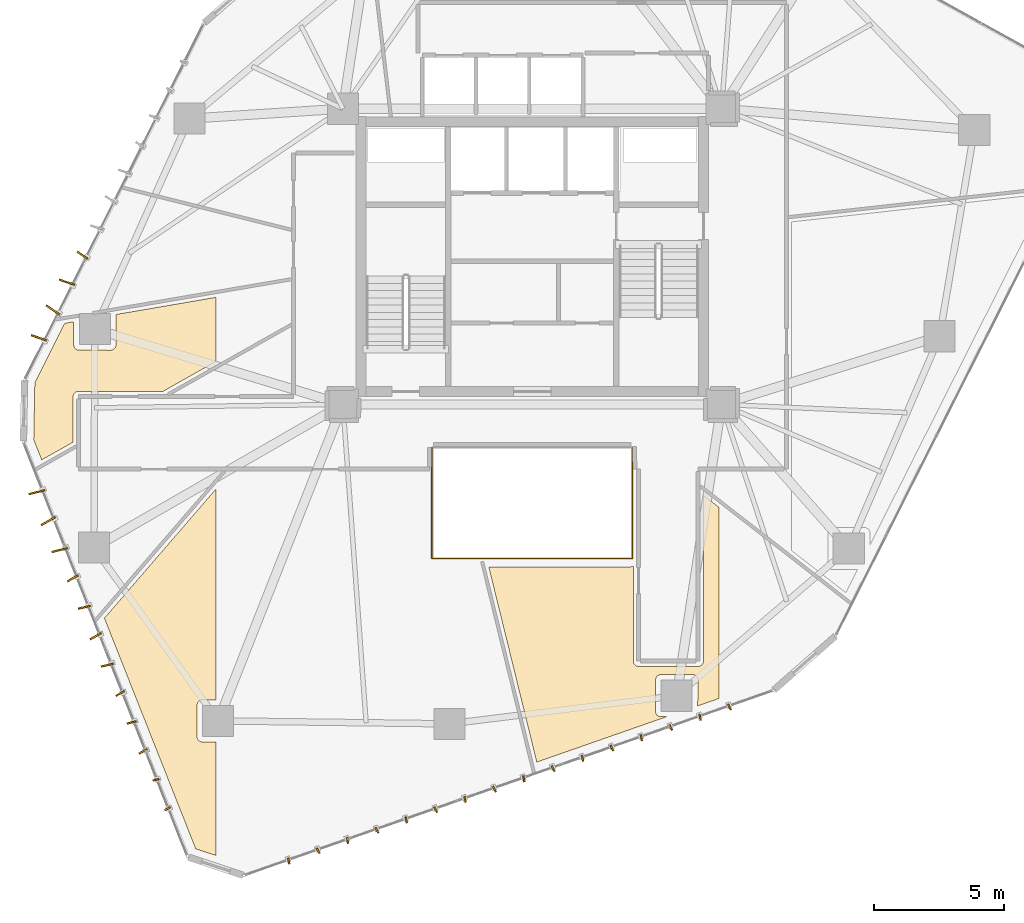
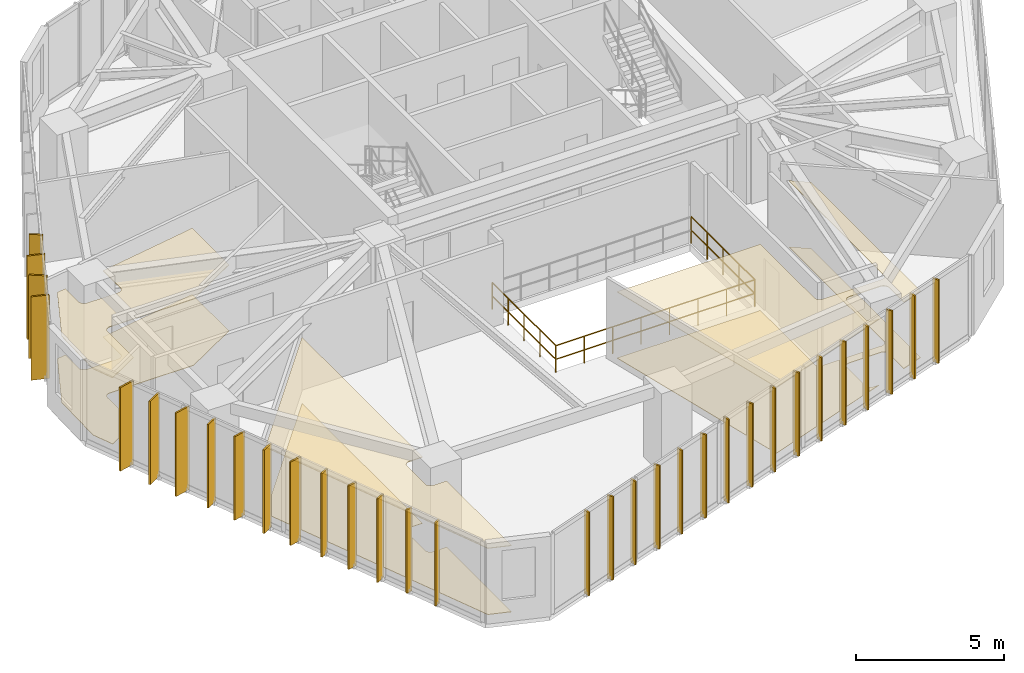
# One storey, part 19 of 21: 32 shading devices, 6 coverings, 3 railings.
"""IFC4 building model written with IfcOpenShell, lengths in metres."""

from ifc_helpers import new_model, si_unit, direction, frame, origin, origin_2d, place, context, subcontext, project, spatial, polyline, rectangle, circle, outline, extrude, source, transform, mapped, material, layer, layer_set, type_object, type_shapes, element, save


model = new_model("IFC4")

# Units and contexts
model_context = context("Model", 3, precision=1e-05, world=origin(), true_north=direction((0.0, 1.0)))
body_context = subcontext(model_context, "Body", "Model", "MODEL_VIEW")
ifc_project = project(units=[si_unit("LENGTHUNIT", "METRE"), si_unit("AREAUNIT", "SQUARE_METRE"), si_unit("VOLUMEUNIT", "CUBIC_METRE"), si_unit("PLANEANGLEUNIT", "RADIAN"), si_unit("MASSUNIT", "GRAM", prefix="KILO")], contexts=[model_context])

# Site, building, storey
site_placement = place(None, origin())
site = spatial("IfcSite", under=ifc_project, at=site_placement, CompositionType="ELEMENT")
building_placement = place(site_placement, origin())
building = spatial("IfcBuilding", under=site, at=building_placement, Name="Talar Marvaseh", CompositionType="ELEMENT")
storey_placement = place(building_placement, frame((0.0, 0.0, 147.0)))
storey = spatial("IfcBuildingStorey", under=building, at=storey_placement, Name="L38", CompositionType="ELEMENT", Elevation=147.0)

# Railings
ifc_material_1 = material(Name="Tempered Clear Glass", Category="glass")
railing_type = type_object("IfcRailingType", Name="Interior Atrium Edge Balustrade 1120", PredefinedType="BALUSTRADE", material=ifc_material_1)
railing_1_placement = place(storey_placement, frame((22.1298828125, 19.561279296875, 0.0)))
element("IfcRailing", 1, at=railing_1_placement, inside=storey, type_object=railing_type, Name="L38 Internal Daylight Atrium Balustrade 1", PredefinedType="BALUSTRADE", context=body_context, shape_type="SweptSolid", body=[
    extrude(circle(Radius=0.02392578125, at=origin_2d()), frame((0.0, 0.0, 1.09619140625), z_axis=(1.0, 0.0, 0.0), x_axis=(0.0, 1.0, 0.0)), (0.0, 0.0, 1.0), 7.740234375),
    extrude(circle(Radius=0.02392578125, at=origin_2d()), frame((0.0, 0.0, 0.5361328125), z_axis=(1.0, 0.0, 0.0), x_axis=(0.0, 1.0, 0.0)), (0.0, 0.0, 1.0), 7.740234375),
    extrude(circle(Radius=0.02099609375, at=origin_2d()), origin(), (0.0, 0.0, 1.0), 1.072021484375),
    extrude(circle(Radius=0.02099609375, at=origin_2d()), frame((1.105712890625, 0.0, 0.0)), (0.0, 0.0, 1.0), 1.072021484375),
    extrude(circle(Radius=0.02099609375, at=origin_2d()), frame((2.21142578125, 0.0, 0.0)), (0.0, 0.0, 1.0), 1.072021484375),
    extrude(circle(Radius=0.02099609375, at=origin_2d()), frame((3.317138671875, 0.0, 0.0)), (0.0, 0.0, 1.0), 1.072021484375),
    extrude(circle(Radius=0.02099609375, at=origin_2d()), frame((4.423095703125, 0.0, 0.0)), (0.0, 0.0, 1.0), 1.072021484375),
    extrude(circle(Radius=0.02099609375, at=origin_2d()), frame((5.52880859375, 0.0, 0.0)), (0.0, 0.0, 1.0), 1.072021484375),
    extrude(circle(Radius=0.02099609375, at=origin_2d()), frame((6.634521484375, 0.0, 0.0)), (0.0, 0.0, 1.0), 1.072021484375),
    extrude(circle(Radius=0.02099609375, at=origin_2d()), frame((7.740234375, 0.0, 0.0)), (0.0, 0.0, 1.0), 1.072021484375),
])
railing_2_placement = place(storey_placement, frame((29.8701171875, 19.561279296875, 0.0)))
element("IfcRailing", 2, at=railing_2_placement, inside=storey, type_object=railing_type, Name="L38 Internal Daylight Atrium Balustrade 2", PredefinedType="BALUSTRADE", context=body_context, shape_type="SweptSolid", body=[
    extrude(circle(Radius=0.02392578125, at=origin_2d()), frame((0.0, 0.0, 1.09619140625), z_axis=(0.0, 1.0, 0.0), x_axis=(-1.0, 0.0, 0.0)), (0.0, 0.0, 1.0), 4.27734375),
    extrude(circle(Radius=0.02392578125, at=origin_2d()), frame((0.0, 0.0, 0.5361328125), z_axis=(0.0, 1.0, 0.0), x_axis=(-1.0, 0.0, 0.0)), (0.0, 0.0, 1.0), 4.27734375),
    extrude(circle(Radius=0.02099609375, at=origin_2d()), origin(), (0.0, 0.0, 1.0), 1.072021484375),
    extrude(circle(Radius=0.02099609375, at=origin_2d()), frame((0.0, 1.0693359375, 0.0)), (0.0, 0.0, 1.0), 1.072021484375),
    extrude(circle(Radius=0.02099609375, at=origin_2d()), frame((0.0, 2.138671875, 0.0)), (0.0, 0.0, 1.0), 1.072021484375),
    extrude(circle(Radius=0.02099609375, at=origin_2d()), frame((0.0, 3.2080078125, 0.0)), (0.0, 0.0, 1.0), 1.072021484375),
    extrude(circle(Radius=0.02099609375, at=origin_2d()), frame((0.0, 4.27734375, 0.0)), (0.0, 0.0, 1.0), 1.072021484375),
])
railing_3_placement = place(storey_placement, frame((22.1298828125, 23.838623046875, 0.0)))
element("IfcRailing", 3, at=railing_3_placement, inside=storey, type_object=railing_type, Name="L38 Internal Daylight Atrium Balustrade 4", PredefinedType="BALUSTRADE", context=body_context, shape_type="SweptSolid", body=[
    extrude(circle(Radius=0.02392578125, at=origin_2d()), frame((0.0, 0.0, 1.09619140625), z_axis=(0.0, -1.0, 0.0), x_axis=(1.0, 0.0, 0.0)), (0.0, 0.0, 1.0), 4.27734375),
    extrude(circle(Radius=0.02392578125, at=origin_2d()), frame((0.0, 0.0, 0.5361328125), z_axis=(0.0, -1.0, 0.0), x_axis=(1.0, 0.0, 0.0)), (0.0, 0.0, 1.0), 4.27734375),
    extrude(circle(Radius=0.02099609375, at=origin_2d()), origin(), (0.0, 0.0, 1.0), 1.072021484375),
    extrude(circle(Radius=0.02099609375, at=origin_2d()), frame((0.0, -1.0693359375, 0.0)), (0.0, 0.0, 1.0), 1.072021484375),
    extrude(circle(Radius=0.02099609375, at=origin_2d()), frame((0.0, -2.138671875, 0.0)), (0.0, 0.0, 1.0), 1.072021484375),
    extrude(circle(Radius=0.02099609375, at=origin_2d()), frame((0.0, -3.2080078125, 0.0)), (0.0, 0.0, 1.0), 1.072021484375),
    extrude(circle(Radius=0.02099609375, at=origin_2d()), frame((0.0, -4.27734375, 0.0)), (0.0, 0.0, 1.0), 1.072021484375),
])

# Coverings
ifc_material_2 = material(Name="Mineral Fibre Acoustic Ceiling")
ifc_layer_1 = layer(ifc_material_2, 0.02490234375)
ifc_layer_set_1 = layer_set([ifc_layer_1], Name="Mineral Fibre Acoustic Ceiling")
covering_type_1 = type_object("IfcCoveringType", Name="Perforated Mineral Fibre Acoustic Suspended Ceiling", PredefinedType="CEILING", material=ifc_layer_set_1)
covering_1_placement = place(storey_placement, frame((0.0, 0.0, 2.719970703125)))
element("IfcCovering", 4, at=covering_1_placement, inside=storey, type_object=covering_type_1, Name="L38 Curatorial Office Acoustic Ceiling", PredefinedType="CEILING", context=body_context, shape_type="SweptSolid", body=[
    extrude(outline(polyline([(8.322998046875, 28.687255859375), (8.322998046875, 27.802001953125), (8.32421875, 27.780517578125), (8.32763671875, 27.75927734375), (8.33349609375, 27.73828125), (8.34130859375, 27.718505859375), (8.351318359375, 27.69921875), (8.359375, 27.68603515625), (8.370849609375, 27.6689453125), (8.3837890625, 27.6533203125), (8.398681640625, 27.638916015625), (8.414794921875, 27.6259765625), (8.43212890625, 27.614990234375), (8.45068359375, 27.605712890625), (8.4697265625, 27.598388671875), (8.48974609375, 27.593017578125), (8.510009765625, 27.58984375), (8.53076171875, 27.5888671875), (9.74072265625, 27.58740234375), (9.76025390625, 27.588134765625), (9.77978515625, 27.591064453125), (9.798583984375, 27.595703125), (9.817138671875, 27.602294921875), (9.8349609375, 27.61083984375), (9.851806640625, 27.620849609375), (9.86767578125, 27.632568359375), (9.882080078125, 27.645751953125), (9.895263671875, 27.66015625), (9.907470703125, 27.6748046875), (9.919189453125, 27.690673828125), (9.92919921875, 27.70751953125), (9.937744140625, 27.725341796875), (9.9443359375, 27.743896484375), (9.94921875, 27.76318359375), (9.9521484375, 27.78271484375), (9.952880859375, 27.80224609375), (9.951416015625, 28.966796875), (13.800048828125, 29.627197265625), (13.800048828125, 27.150634765625), (11.76220703125, 26.0), (8.5, 26.0), (8.48046875, 25.9990234375), (8.4609375, 25.99609375), (8.44189453125, 25.991455078125), (8.423583984375, 25.98486328125), (8.40576171875, 25.976318359375), (8.388916015625, 25.96630859375), (8.373046875, 25.95458984375), (8.358642578125, 25.94140625), (8.345458984375, 25.927001953125), (8.333740234375, 25.9111328125), (8.323486328125, 25.894287109375), (8.315185546875, 25.87646484375), (8.30859375, 25.858154296875), (8.3037109375, 25.839111328125), (8.301025390625, 25.819580078125), (8.300048828125, 25.800048828125), (8.300048828125, 24.044677734375), (7.088623046875, 23.360595703125), (6.77978515625, 24.140625), (6.822998046875, 26.33544921875), (7.974609375, 28.627685546875), (8.322998046875, 28.687255859375)])), origin(), (0.0, 0.0, 1.0), 0.025146484375),
])
covering_2_placement = place(storey_placement, frame((0.0, 0.0, 2.719970703125)))
element("IfcCovering", 5, at=covering_2_placement, inside=storey, type_object=covering_type_1, Name="L38 Archival Research Office Acoustic Ceiling", PredefinedType="CEILING", context=body_context, shape_type="SweptSolid", body=[
    extrude(outline(polyline([(13.800048828125, 22.2294921875), (13.800048828125, 14.111572265625), (13.27978515625, 14.109619140625), (13.260009765625, 14.108642578125), (13.24072265625, 14.105712890625), (13.2216796875, 14.100830078125), (13.203369140625, 14.09423828125), (13.185791015625, 14.085693359375), (13.1689453125, 14.07568359375), (13.1533203125, 14.06396484375), (13.138671875, 14.05078125), (13.12548828125, 14.0361328125), (13.114013671875, 14.0205078125), (13.10400390625, 14.003662109375), (13.095703125, 13.986083984375), (13.089111328125, 13.967529296875), (13.084228515625, 13.948486328125), (13.081298828125, 13.92919921875), (13.080322265625, 13.90966796875), (13.080322265625, 12.6884765625), (13.081298828125, 12.668701171875), (13.084228515625, 12.6494140625), (13.089111328125, 12.63037109375), (13.095703125, 12.61181640625), (13.10400390625, 12.593994140625), (13.114013671875, 12.577392578125), (13.125732421875, 12.5615234375), (13.138916015625, 12.547119140625), (13.153564453125, 12.53369140625), (13.169189453125, 12.522216796875), (13.18603515625, 12.511962890625), (13.203857421875, 12.503662109375), (13.222412109375, 12.4970703125), (13.241455078125, 12.4921875), (13.2607421875, 12.489501953125), (13.280517578125, 12.48828125), (13.800048828125, 12.48828125), (13.800048828125, 8.110107421875), (13.023681640625, 8.3671875), (9.50439453125, 17.2578125), (13.800048828125, 22.2294921875)])), origin(), (0.0, 0.0, 1.0), 0.025146484375),
])
covering_3_placement = place(storey_placement, frame((0.0, 0.0, 2.719970703125)))
element("IfcCovering", 6, at=covering_3_placement, inside=storey, type_object=covering_type_1, Name="L38 Registrar Mail and Post Room Acoustic Ceiling", PredefinedType="CEILING", context=body_context, shape_type="SweptSolid", body=[
    extrude(outline(polyline([(29.90087890625, 15.580322265625), (29.90380859375, 15.56103515625), (29.90869140625, 15.5419921875), (29.915283203125, 15.5234375), (29.923583984375, 15.505615234375), (29.93359375, 15.489013671875), (29.9453125, 15.47314453125), (29.95849609375, 15.45849609375), (29.97314453125, 15.4453125), (29.989013671875, 15.43359375), (30.005615234375, 15.423583984375), (30.0234375, 15.415283203125), (30.0419921875, 15.40869140625), (30.06103515625, 15.40380859375), (30.080322265625, 15.40087890625), (30.10009765625, 15.39990234375), (32.39990234375, 15.39990234375), (32.419677734375, 15.40087890625), (32.43896484375, 15.40380859375), (32.4580078125, 15.40869140625), (32.4765625, 15.415283203125), (32.494384765625, 15.423583984375), (32.510986328125, 15.43359375), (32.52685546875, 15.4453125), (32.54150390625, 15.45849609375), (32.5546875, 15.47314453125), (32.56640625, 15.489013671875), (32.576416015625, 15.505615234375), (32.584716796875, 15.5234375), (32.59130859375, 15.5419921875), (32.59619140625, 15.56103515625), (32.59912109375, 15.580322265625), (32.60009765625, 15.60009765625), (32.60009765625, 21.99658203125), (33.199951171875, 21.531005859375), (33.199951171875, 14.161865234375), (32.38134765625, 13.875732421875), (32.385009765625, 14.868896484375), (32.384033203125, 14.887451171875), (32.381591796875, 14.90576171875), (32.377197265625, 14.924072265625), (32.371337890625, 14.941650390625), (32.364013671875, 14.958740234375), (32.35498046875, 14.974853515625), (32.34423828125, 14.990234375), (32.33251953125, 15.004638671875), (32.319091796875, 15.017578125), (32.30419921875, 15.03125), (32.2900390625, 15.04296875), (32.274658203125, 15.053466796875), (32.258544921875, 15.062255859375), (32.24169921875, 15.069580078125), (32.22412109375, 15.07568359375), (32.2060546875, 15.07958984375), (32.187744140625, 15.082275390625), (32.169189453125, 15.0830078125), (30.958740234375, 15.07861328125), (30.939208984375, 15.07763671875), (30.919921875, 15.07470703125), (30.90087890625, 15.06982421875), (30.88232421875, 15.063232421875), (30.86474609375, 15.0546875), (30.847900390625, 15.044677734375), (30.832275390625, 15.032958984375), (30.817626953125, 15.019775390625), (30.8046875, 15.005126953125), (30.79296875, 14.989501953125), (30.782958984375, 14.97265625), (30.774658203125, 14.955078125), (30.76806640625, 14.9365234375), (30.76318359375, 14.91748046875), (30.760498046875, 14.898193359375), (30.759521484375, 14.878662109375), (30.759521484375, 13.657470703125), (30.760498046875, 13.6376953125), (30.76318359375, 13.618408203125), (30.76806640625, 13.599365234375), (30.774658203125, 13.580810546875), (30.782958984375, 13.56298828125), (30.793212890625, 13.54638671875), (30.8046875, 13.530517578125), (30.818115234375, 13.51611328125), (30.83251953125, 13.502685546875), (30.848388671875, 13.4912109375), (30.864990234375, 13.48095703125), (30.8828125, 13.47265625), (30.9013671875, 13.466064453125), (30.92041015625, 13.461181640625), (30.939697265625, 13.45849609375), (30.95947265625, 13.45751953125), (31.183837890625, 13.45751953125), (26.17529296875, 11.70751953125), (24.32275390625, 19.239990234375), (29.800048828125, 19.239990234375), (29.81640625, 19.24072265625), (29.83251953125, 19.24267578125), (29.8486328125, 19.24609375), (29.89990234375, 19.2587890625), (29.89990234375, 15.60009765625), (29.90087890625, 15.580322265625)])), origin(), (0.0, 0.0, 1.0), 0.025146484375),
])
ifc_material_3 = material(Name="Porcelain Stoneware Tile", Category="masonry")
ifc_layer_2 = layer(ifc_material_3, 0.02001953125)
ifc_layer_set_2 = layer_set([ifc_layer_2], Name="Porcelain Stoneware Tile")
covering_type_2 = type_object("IfcCoveringType", Name="Polished Porcelain Stoneware Gallery Flooring", PredefinedType="FLOORING", material=ifc_layer_set_2)
covering_4_placement = place(storey_placement, origin())
element("IfcCovering", 7, at=covering_4_placement, inside=storey, type_object=covering_type_2, Name="L38 Curatorial Office Flooring", PredefinedType="FLOORING", context=body_context, shape_type="SweptSolid", body=[
    extrude(outline(polyline([(8.322998046875, 28.687255859375), (8.322998046875, 27.802001953125), (8.32421875, 27.780517578125), (8.32763671875, 27.75927734375), (8.33349609375, 27.73828125), (8.34130859375, 27.718505859375), (8.351318359375, 27.69921875), (8.359375, 27.68603515625), (8.370849609375, 27.6689453125), (8.3837890625, 27.6533203125), (8.398681640625, 27.638916015625), (8.414794921875, 27.6259765625), (8.43212890625, 27.614990234375), (8.45068359375, 27.605712890625), (8.4697265625, 27.598388671875), (8.48974609375, 27.593017578125), (8.510009765625, 27.58984375), (8.53076171875, 27.5888671875), (9.74072265625, 27.58740234375), (9.76025390625, 27.588134765625), (9.77978515625, 27.591064453125), (9.798583984375, 27.595703125), (9.817138671875, 27.602294921875), (9.8349609375, 27.61083984375), (9.851806640625, 27.620849609375), (9.86767578125, 27.632568359375), (9.882080078125, 27.645751953125), (9.895263671875, 27.66015625), (9.907470703125, 27.6748046875), (9.919189453125, 27.690673828125), (9.92919921875, 27.70751953125), (9.937744140625, 27.725341796875), (9.9443359375, 27.743896484375), (9.94921875, 27.76318359375), (9.9521484375, 27.78271484375), (9.952880859375, 27.80224609375), (9.951416015625, 28.966796875), (13.800048828125, 29.627197265625), (13.800048828125, 27.150634765625), (11.76220703125, 26.0), (8.5, 26.0), (8.48046875, 25.9990234375), (8.4609375, 25.99609375), (8.44189453125, 25.991455078125), (8.423583984375, 25.98486328125), (8.40576171875, 25.976318359375), (8.388916015625, 25.96630859375), (8.373046875, 25.95458984375), (8.358642578125, 25.94140625), (8.345458984375, 25.927001953125), (8.333740234375, 25.9111328125), (8.323486328125, 25.894287109375), (8.315185546875, 25.87646484375), (8.30859375, 25.858154296875), (8.3037109375, 25.839111328125), (8.301025390625, 25.819580078125), (8.300048828125, 25.800048828125), (8.300048828125, 24.044677734375), (7.088623046875, 23.360595703125), (6.77978515625, 24.140625), (6.822998046875, 26.33544921875), (7.974609375, 28.627685546875), (8.322998046875, 28.687255859375)])), origin(), (0.0, 0.0, 1.0), 0.02001953125),
])
covering_5_placement = place(storey_placement, origin())
element("IfcCovering", 8, at=covering_5_placement, inside=storey, type_object=covering_type_2, Name="L38 Archival Research Office Flooring", PredefinedType="FLOORING", context=body_context, shape_type="SweptSolid", body=[
    extrude(outline(polyline([(13.800048828125, 22.2294921875), (13.800048828125, 14.111572265625), (13.27978515625, 14.109619140625), (13.260009765625, 14.108642578125), (13.24072265625, 14.105712890625), (13.2216796875, 14.100830078125), (13.203369140625, 14.09423828125), (13.185791015625, 14.085693359375), (13.1689453125, 14.07568359375), (13.1533203125, 14.06396484375), (13.138671875, 14.05078125), (13.12548828125, 14.0361328125), (13.114013671875, 14.0205078125), (13.10400390625, 14.003662109375), (13.095703125, 13.986083984375), (13.089111328125, 13.967529296875), (13.084228515625, 13.948486328125), (13.081298828125, 13.92919921875), (13.080322265625, 13.90966796875), (13.080322265625, 12.6884765625), (13.081298828125, 12.668701171875), (13.084228515625, 12.6494140625), (13.089111328125, 12.63037109375), (13.095703125, 12.61181640625), (13.10400390625, 12.593994140625), (13.114013671875, 12.577392578125), (13.125732421875, 12.5615234375), (13.138916015625, 12.547119140625), (13.153564453125, 12.53369140625), (13.169189453125, 12.522216796875), (13.18603515625, 12.511962890625), (13.203857421875, 12.503662109375), (13.222412109375, 12.4970703125), (13.241455078125, 12.4921875), (13.2607421875, 12.489501953125), (13.280517578125, 12.48828125), (13.800048828125, 12.48828125), (13.800048828125, 8.110107421875), (13.023681640625, 8.3671875), (9.50439453125, 17.2578125), (13.800048828125, 22.2294921875)])), origin(), (0.0, 0.0, 1.0), 0.02001953125),
])
covering_6_placement = place(storey_placement, origin())
element("IfcCovering", 9, at=covering_6_placement, inside=storey, type_object=covering_type_2, Name="L38 Registrar Mail and Post Room Flooring", PredefinedType="FLOORING", context=body_context, shape_type="SweptSolid", body=[
    extrude(outline(polyline([(29.90087890625, 15.580322265625), (29.90380859375, 15.56103515625), (29.90869140625, 15.5419921875), (29.915283203125, 15.5234375), (29.923583984375, 15.505615234375), (29.93359375, 15.489013671875), (29.9453125, 15.47314453125), (29.95849609375, 15.45849609375), (29.97314453125, 15.4453125), (29.989013671875, 15.43359375), (30.005615234375, 15.423583984375), (30.0234375, 15.415283203125), (30.0419921875, 15.40869140625), (30.06103515625, 15.40380859375), (30.080322265625, 15.40087890625), (30.10009765625, 15.39990234375), (32.39990234375, 15.39990234375), (32.419677734375, 15.40087890625), (32.43896484375, 15.40380859375), (32.4580078125, 15.40869140625), (32.4765625, 15.415283203125), (32.494384765625, 15.423583984375), (32.510986328125, 15.43359375), (32.52685546875, 15.4453125), (32.54150390625, 15.45849609375), (32.5546875, 15.47314453125), (32.56640625, 15.489013671875), (32.576416015625, 15.505615234375), (32.584716796875, 15.5234375), (32.59130859375, 15.5419921875), (32.59619140625, 15.56103515625), (32.59912109375, 15.580322265625), (32.60009765625, 15.60009765625), (32.60009765625, 21.99658203125), (33.199951171875, 21.531005859375), (33.199951171875, 14.161865234375), (32.38134765625, 13.875732421875), (32.385009765625, 14.868896484375), (32.384033203125, 14.887451171875), (32.381591796875, 14.90576171875), (32.377197265625, 14.924072265625), (32.371337890625, 14.941650390625), (32.364013671875, 14.958740234375), (32.35498046875, 14.974853515625), (32.34423828125, 14.990234375), (32.33251953125, 15.004638671875), (32.319091796875, 15.017578125), (32.30419921875, 15.03125), (32.2900390625, 15.04296875), (32.274658203125, 15.053466796875), (32.258544921875, 15.062255859375), (32.24169921875, 15.069580078125), (32.22412109375, 15.07568359375), (32.2060546875, 15.07958984375), (32.187744140625, 15.082275390625), (32.169189453125, 15.0830078125), (30.958740234375, 15.07861328125), (30.939208984375, 15.07763671875), (30.919921875, 15.07470703125), (30.90087890625, 15.06982421875), (30.88232421875, 15.063232421875), (30.86474609375, 15.0546875), (30.847900390625, 15.044677734375), (30.832275390625, 15.032958984375), (30.817626953125, 15.019775390625), (30.8046875, 15.005126953125), (30.79296875, 14.989501953125), (30.782958984375, 14.97265625), (30.774658203125, 14.955078125), (30.76806640625, 14.9365234375), (30.76318359375, 14.91748046875), (30.760498046875, 14.898193359375), (30.759521484375, 14.878662109375), (30.759521484375, 13.657470703125), (30.760498046875, 13.6376953125), (30.76318359375, 13.618408203125), (30.76806640625, 13.599365234375), (30.774658203125, 13.580810546875), (30.782958984375, 13.56298828125), (30.793212890625, 13.54638671875), (30.8046875, 13.530517578125), (30.818115234375, 13.51611328125), (30.83251953125, 13.502685546875), (30.848388671875, 13.4912109375), (30.864990234375, 13.48095703125), (30.8828125, 13.47265625), (30.9013671875, 13.466064453125), (30.92041015625, 13.461181640625), (30.939697265625, 13.45849609375), (30.95947265625, 13.45751953125), (31.183837890625, 13.45751953125), (26.17529296875, 11.70751953125), (24.32275390625, 19.239990234375), (29.800048828125, 19.239990234375), (29.81640625, 19.24072265625), (29.83251953125, 19.24267578125), (29.8486328125, 19.24609375), (29.89990234375, 19.2587890625), (29.89990234375, 15.60009765625), (29.90087890625, 15.580322265625)])), origin(), (0.0, 0.0, 1.0), 0.02001953125),
])

# Shading devices
ifc_material_4 = material(Name="Anodised Champagne Bronze Aluminium", Category="aluminium")
ifc_layer_3 = layer(ifc_material_4, 0.06494140625)
ifc_layer_set_3 = layer_set([ifc_layer_3], Name="Anodised Champagne Bronze Aluminium")
shading_device_type_1 = type_object("IfcShadingDeviceType", Name="Sawtooth Champagne Bronze Vertical Fin 240", PredefinedType="USERDEFINED", material=ifc_layer_set_3)
shared_shape_1 = source(origin(), body_context, "Body", "SweptSolid", [
    extrude(rectangle(XDim=0.239990234375, YDim=0.06494140625, at=origin_2d()), origin(), (0.0, 0.0, 1.0), 3.429931640625),
])
type_shapes(shading_device_type_1, [shared_shape_1])
for number, where, z_axis, x_axis, name in (
    (10, (11.933837890625, 9.911376953125, -0.1201171875), (0.0, 0.0, 1.0), (-0.869494929505, -0.493941866584, 0.0), "L38 Sawtooth Vertical Solar Fin"),
    (11, (11.4921875, 11.027099609375, -0.1201171875), (0.0, 0.0, 1.0), (-0.971961000579, -0.235142113103, 0.0), "L38 Sawtooth Vertical Solar Fin"),
    (12, (33.60498046875, 13.83203125, -0.1201171875), (0.0, 0.0, 1.0), (0.458029070905, -0.888937213872, 0.0), "L38 Sawtooth Vertical Solar Fin"),
    (13, (32.472412109375, 13.436279296875, -0.1201171875), (0.0, 0.0, 1.0), (0.195261498368, -0.980751215781, 0.0), "L38 Sawtooth Vertical Solar Fin"),
    (14, (31.33935546875, 13.040283203125, -0.1201171875), (0.0, 0.0, 1.0), (0.458029070905, -0.888937213872, 0.0), "L38 Sawtooth Vertical Solar Fin"),
    (15, (30.20654296875, 12.64453125, -0.1201171875), (0.0, 0.0, 1.0), (0.195261498368, -0.980751215781, 0.0), "L38 Sawtooth Vertical Solar Fin"),
    (16, (29.07373046875, 12.248779296875, -0.1201171875), (0.0, 0.0, 1.0), (0.458029070905, -0.888937213872, 0.0), "L38 Sawtooth Vertical Solar Fin"),
    (17, (27.94091796875, 11.852783203125, -0.1201171875), (0.0, 0.0, 1.0), (0.195261498368, -0.980751215781, 0.0), "L38 Sawtooth Vertical Solar Fin"),
    (18, (26.80810546875, 11.45703125, -0.1201171875), (0.0, 0.0, 1.0), (0.458029070905, -0.888937213872, 0.0), "L38 Sawtooth Vertical Solar Fin"),
    (19, (25.67529296875, 11.061279296875, -0.1201171875), (0.0, 0.0, 1.0), (0.195261498368, -0.980751215781, 0.0), "L38 Sawtooth Vertical Solar Fin"),
    (20, (24.54248046875, 10.66552734375, -0.1201171875), (0.0, 0.0, 1.0), (0.458029070905, -0.888937213872, 0.0), "L38 Sawtooth Vertical Solar Fin"),
    (21, (23.409423828125, 10.269775390625, -0.1201171875), (0.0, 0.0, 1.0), (0.195261498368, -0.980751215781, 0.0), "L38 Sawtooth Vertical Solar Fin"),
    (22, (22.276611328125, 9.873779296875, -0.1201171875), (0.0, 0.0, 1.0), (0.458029070905, -0.888937213872, 0.0), "L38 Sawtooth Vertical Solar Fin"),
    (23, (21.143798828125, 9.47802734375, -0.1201171875), (0.0, 0.0, 1.0), (0.195261498368, -0.980751215781, 0.0), "L38 Sawtooth Vertical Solar Fin"),
    (24, (20.010986328125, 9.082275390625, -0.1201171875), (0.0, 0.0, 1.0), (0.458029070905, -0.888937213872, 0.0), "L38 Sawtooth Vertical Solar Fin"),
    (25, (18.878173828125, 8.6865234375, -0.1201171875), (0.0, 0.0, 1.0), (0.195261498368, -0.980751215781, 0.0), "L38 Sawtooth Vertical Solar Fin"),
    (26, (17.745361328125, 8.290771484375, -0.1201171875), (0.0, 0.0, 1.0), (0.458029070905, -0.888937213872, 0.0), "L38 Sawtooth Vertical Solar Fin"),
    (27, (16.6123046875, 7.89501953125, -0.1201171875), (0.0, 0.0, 1.0), (0.195261498368, -0.980751215781, 0.0), "L38 Sawtooth Vertical Solar Fin"),
):
    element("IfcShadingDevice", number, at=place(storey_placement, frame(where, z_axis=z_axis, x_axis=x_axis)), inside=storey, type_object=shading_device_type_1, Name=name, ObjectType="FIN", PredefinedType="USERDEFINED", context=body_context, shape_type="MappedRepresentation", body=[
        mapped(shared_shape_1, transform((0.0, 0.0, 0.0), x_axis=(1.0, 0.0, 0.0), y_axis=(0.0, 1.0, 0.0), z_axis=(0.0, 0.0, 1.0), scale=1.0)),
    ])
ifc_layer_4 = layer(ifc_material_4, 0.06494140625)
ifc_layer_set_4 = layer_set([ifc_layer_4], Name="Anodised Champagne Bronze Aluminium")
shading_device_type_2 = type_object("IfcShadingDeviceType", Name="Sawtooth Champagne Bronze Vertical Fin 360", PredefinedType="USERDEFINED", material=ifc_layer_set_4)
shared_shape_2 = source(origin(), body_context, "Body", "SweptSolid", [
    extrude(rectangle(XDim=0.360107421875, YDim=0.06494140625, at=origin_2d()), origin(), (0.0, 0.0, 1.0), 3.429931640625),
])
type_shapes(shading_device_type_2, [shared_shape_2])
for number, where, z_axis, x_axis, name in (
    (28, (10.99462890625, 12.120849609375, -0.1201171875), (0.0, 0.0, 1.0), (-0.869494929505, -0.493941866584, 0.0), "L38 Sawtooth Vertical Solar Fin"),
    (29, (10.552978515625, 13.236572265625, -0.1201171875), (0.0, 0.0, 1.0), (-0.971961000579, -0.235142113103, 0.0), "L38 Sawtooth Vertical Solar Fin"),
    (30, (10.111328125, 14.352294921875, -0.1201171875), (0.0, 0.0, 1.0), (-0.869494929505, -0.493941866584, 0.0), "L38 Sawtooth Vertical Solar Fin"),
):
    element("IfcShadingDevice", number, at=place(storey_placement, frame(where, z_axis=z_axis, x_axis=x_axis)), inside=storey, type_object=shading_device_type_2, Name=name, ObjectType="FIN", PredefinedType="USERDEFINED", context=body_context, shape_type="MappedRepresentation", body=[
        mapped(shared_shape_2, transform((0.0, 0.0, 0.0), x_axis=(1.0, 0.0, 0.0), y_axis=(0.0, 1.0, 0.0), z_axis=(0.0, 0.0, 1.0), scale=1.0)),
    ])
ifc_layer_5 = layer(ifc_material_4, 0.06494140625)
ifc_layer_set_5 = layer_set([ifc_layer_5], Name="Anodised Champagne Bronze Aluminium")
shading_device_type_3 = type_object("IfcShadingDeviceType", Name="Sawtooth Champagne Bronze Vertical Fin 480", PredefinedType="USERDEFINED", material=ifc_layer_set_5)
shared_shape_3 = source(origin(), body_context, "Body", "SweptSolid", [
    extrude(rectangle(XDim=0.47998046875, YDim=0.06494140625, at=origin_2d()), origin(), (0.0, 0.0, 1.0), 3.429931640625),
])
type_shapes(shading_device_type_3, [shared_shape_3])
for number, where, z_axis, x_axis, name in (
    (31, (9.614013671875, 15.446044921875, -0.1201171875), (0.0, 0.0, 1.0), (-0.971961000579, -0.235142113103, 0.0), "L38 Sawtooth Vertical Solar Fin"),
    (32, (9.172119140625, 16.561767578125, -0.1201171875), (0.0, 0.0, 1.0), (-0.869494929505, -0.493941866584, 0.0), "L38 Sawtooth Vertical Solar Fin"),
    (33, (8.73046875, 17.677490234375, -0.1201171875), (0.0, 0.0, 1.0), (-0.971961000579, -0.235142113103, 0.0), "L38 Sawtooth Vertical Solar Fin"),
    (34, (8.288818359375, 18.793212890625, -0.1201171875), (0.0, 0.0, 1.0), (-0.869494929505, -0.493941866584, 0.0), "L38 Sawtooth Vertical Solar Fin"),
    (35, (8.660888671875, 31.25146484375, -0.1201171875), (0.0, 0.0, 1.0), (-0.82234270698, 0.568992506345, 0.0), "L38 Sawtooth Vertical Solar Fin"),
):
    element("IfcShadingDevice", number, at=place(storey_placement, frame(where, z_axis=z_axis, x_axis=x_axis)), inside=storey, type_object=shading_device_type_3, Name=name, ObjectType="FIN", PredefinedType="USERDEFINED", context=body_context, shape_type="MappedRepresentation", body=[
        mapped(shared_shape_3, transform((0.0, 0.0, 0.0), x_axis=(1.0, 0.0, 0.0), y_axis=(0.0, 1.0, 0.0), z_axis=(0.0, 0.0, 1.0), scale=1.0)),
    ])
ifc_layer_6 = layer(ifc_material_4, 0.06494140625)
ifc_layer_set_6 = layer_set([ifc_layer_6], Name="Anodised Champagne Bronze Aluminium")
shading_device_type_4 = type_object("IfcShadingDeviceType", Name="Sawtooth Champagne Bronze Vertical Fin 620", PredefinedType="USERDEFINED", material=ifc_layer_set_6)
shared_shape_4 = source(origin(), body_context, "Body", "SweptSolid", [
    extrude(rectangle(XDim=0.6201171875, YDim=0.06494140625, at=origin_2d()), origin(), (0.0, 0.0, 1.0), 3.429931640625),
])
type_shapes(shading_device_type_4, [shared_shape_4])
for number, where, z_axis, x_axis, name in (
    (36, (7.781982421875, 19.88330078125, -0.1201171875), (0.0, 0.0, 1.0), (-0.971961000579, -0.235142113103, 0.0), "L38 Sawtooth Vertical Solar Fin"),
    (37, (7.34033203125, 20.9990234375, -0.1201171875), (0.0, 0.0, 1.0), (-0.869494929505, -0.493941866584, 0.0), "L38 Sawtooth Vertical Solar Fin"),
    (38, (6.898681640625, 22.11474609375, -0.1201171875), (0.0, 0.0, 1.0), (-0.971961000579, -0.235142113103, 0.0), "L38 Sawtooth Vertical Solar Fin"),
    (39, (6.98193359375, 28.06640625, -0.1201171875), (0.0, 0.0, 1.0), (-0.947322135083, 0.320282332298, 0.0), "L38 Sawtooth Vertical Solar Fin"),
    (40, (7.520751953125, 29.138427734375, -0.1201171875), (0.0, 0.0, 1.0), (-0.82234270698, 0.568992506345, 0.0), "L38 Sawtooth Vertical Solar Fin"),
    (41, (8.0595703125, 30.210693359375, -0.1201171875), (0.0, 0.0, 1.0), (-0.947322135083, 0.320282332298, 0.0), "L38 Sawtooth Vertical Solar Fin"),
):
    element("IfcShadingDevice", number, at=place(storey_placement, frame(where, z_axis=z_axis, x_axis=x_axis)), inside=storey, type_object=shading_device_type_4, Name=name, ObjectType="FIN", PredefinedType="USERDEFINED", context=body_context, shape_type="MappedRepresentation", body=[
        mapped(shared_shape_4, transform((0.0, 0.0, 0.0), x_axis=(1.0, 0.0, 0.0), y_axis=(0.0, 1.0, 0.0), z_axis=(0.0, 0.0, 1.0), scale=1.0)),
    ])

save(model, "model.ifc")
